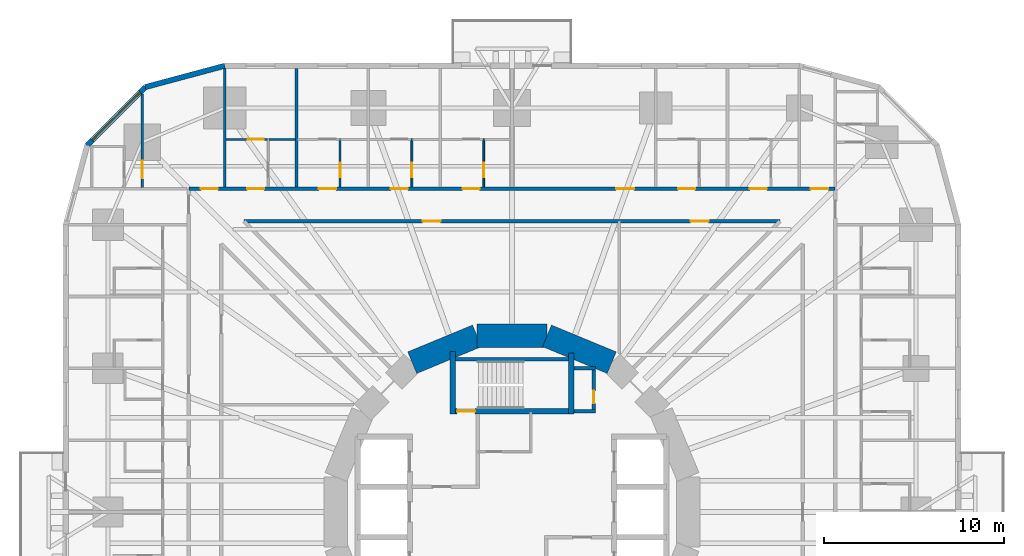
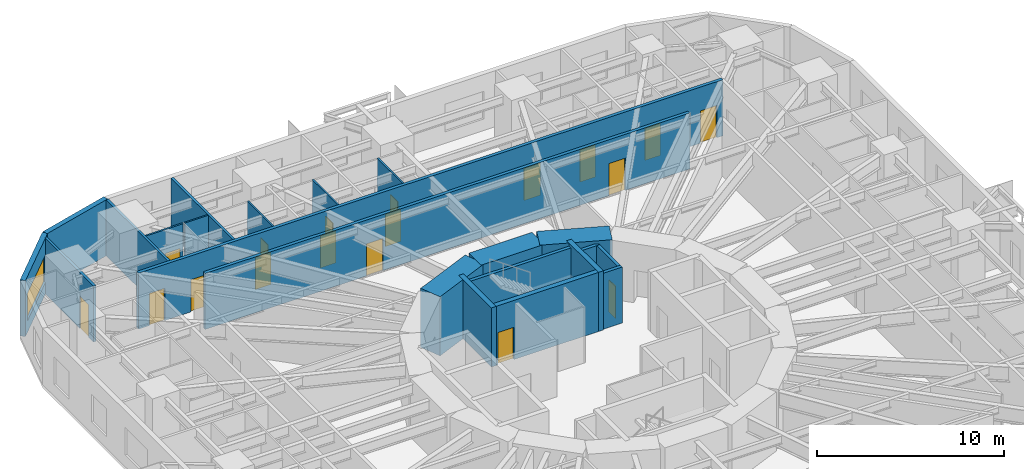
# One storey, part 10 of 14: 22 walls, 18 doors, 1 window, 19 openings.
"""IFC4 building model written with IfcOpenShell, lengths in metres."""

from ifc_helpers import new_model, si_unit, direction, frame, frame_2d, origin, place, context, subcontext, project, spatial, rectangle, extrude, material, layer, layer_set, type_object, element, fill, save


model = new_model("IFC4")

# Units and contexts
model_context = context("Model", 3, precision=1e-05, world=origin(), true_north=direction((0.0, 1.0)))
body_context = subcontext(model_context, "Body", "Model", "MODEL_VIEW")
ifc_project = project(units=[si_unit("LENGTHUNIT", "METRE"), si_unit("AREAUNIT", "SQUARE_METRE"), si_unit("VOLUMEUNIT", "CUBIC_METRE"), si_unit("PLANEANGLEUNIT", "RADIAN"), si_unit("MASSUNIT", "GRAM", prefix="KILO")], contexts=[model_context])

# Site, building, storey
site_placement = place(None, origin())
site = spatial("IfcSite", under=ifc_project, at=site_placement, CompositionType="ELEMENT")
building_placement = place(site_placement, origin())
building = spatial("IfcBuilding", under=site, at=building_placement, Name="Nakasero Lantern House", CompositionType="ELEMENT")
storey_placement = place(building_placement, frame((0.0, 0.0, 23.699951171875)))
storey = spatial("IfcBuildingStorey", under=building, at=storey_placement, Name="L05", CompositionType="ELEMENT", Elevation=23.699951171875)

# Wall, opening, door
ifc_material_1 = material(Name="Concrete C50/60", Category="concrete")
ifc_layer_1 = layer(ifc_material_1, 0.300048828125)
ifc_layer_set_1 = layer_set([ifc_layer_1], Name="Core inner wall 300")
wall_type_1 = type_object("IfcWallType", Name="Core inner wall 300", PredefinedType="SHEAR", material=ifc_layer_set_1)
wall_1_placement = place(storey_placement, frame((-3.449951171875, 5.60009765625, 0.0), z_axis=(0.0, 0.0, 1.0), x_axis=(1.0, 0.0, 0.0)))
wall_1 = element("IfcWall", 1, at=wall_1_placement, inside=storey, type_object=wall_type_1, Name="Core inner wall L05 SN", PredefinedType="SHEAR", context=body_context, shape_type="SweptSolid", body=[
    extrude(rectangle(XDim=6.89990234375, YDim=0.300048828125, at=frame_2d((3.449951171875, 0.0))), origin(), (0.0, 0.0, 1.0), 3.85009765625),
])
opening_1_placement = place(wall_1_placement, frame((0.39990234375, 0.0, 0.0)))
opening_1 = element("IfcOpeningElement", 2, at=opening_1_placement, cuts=wall_1, Name="Opening D05", PredefinedType="OPENING", context=body_context, shape_type="SweptSolid", body=[
    extrude(rectangle(XDim=1.0, YDim=2.10009765625, at=frame_2d((0.5, 1.050048828125))), frame((0.0, 0.169921875, 0.0), z_axis=(0.0, -1.0, 0.0), x_axis=(1.0, 0.0, 0.0)), (0.0, 0.0, 1.0), 0.340087890625),
])
ifc_material_2 = material(Name="Timber C24", Category="wood")
door_type_1 = type_object("IfcDoorType", Name="Core door FD60S 1000", OperationType="SINGLE_SWING_LEFT", PredefinedType="DOOR", material=ifc_material_2)
door_1_placement = place(opening_1_placement, origin())
door_1 = element("IfcDoor", 3, at=door_1_placement, inside=storey, type_object=door_type_1, Name="Door L05 D-ST1", OperationType="SINGLE_SWING_LEFT", OverallHeight=2.10009765625, OverallWidth=1.0, PredefinedType="DOOR", context=body_context, shape_type="SweptSolid", body=[
    extrude(rectangle(XDim=1.0, YDim=2.10009765625, at=frame_2d((0.5, 1.050048828125))), frame((0.0, 0.02490234375, 0.0), z_axis=(0.0, -1.0, 0.0), x_axis=(1.0, 0.0, 0.0)), (0.0, 0.0, 1.0), 0.050048828125),
])
fill(opening_1, door_1)

# Walls
wall_2_placement = place(storey_placement, frame((-3.300048828125, 5.449951171875, 0.0), z_axis=(0.0, 0.0, 1.0), x_axis=(0.0, 1.0, 0.0)))
element("IfcWall", 4, at=wall_2_placement, inside=storey, type_object=wall_type_1, Name="Core inner wall L05 SNW", PredefinedType="SHEAR", context=body_context, shape_type="SweptSolid", body=[
    extrude(rectangle(XDim=3.5, YDim=0.300048828125, at=frame_2d((1.75, 0.0))), origin(), (0.0, 0.0, 1.0), 3.85009765625),
])
wall_3_placement = place(storey_placement, frame((3.300048828125, 5.449951171875, 0.0), z_axis=(0.0, 0.0, 1.0), x_axis=(0.0, 1.0, 0.0)))
element("IfcWall", 5, at=wall_3_placement, inside=storey, type_object=wall_type_1, Name="Core inner wall L05 SNE", PredefinedType="SHEAR", context=body_context, shape_type="SweptSolid", body=[
    extrude(rectangle(XDim=3.400146484375, YDim=0.300048828125, at=frame_2d((1.7001953125, 0.0))), origin(), (0.0, 0.0, 1.0), 3.85009765625),
])
ifc_material_3 = material(Name="Concrete C50/60", Category="concrete")
ifc_layer_2 = layer(ifc_material_3, 1.300048828125)
ifc_layer_set_2 = layer_set([ifc_layer_2], Name="Core wall 1300")
wall_type_2 = type_object("IfcWallType", Name="Core wall 1300", PredefinedType="SHEAR", material=ifc_layer_set_2)
for number, where, z_axis, x_axis, name in (
    (6, (5.5556640625, 8.314697265625, 0.0), (0.0, 0.0, 1.0), (-0.923876507187, 0.382690736062, 0.0), "Core wall L05 facet 3"),
    (7, (1.950927734375, 9.807861328125, 0.0), (0.0, 0.0, 1.0), (-1.0, 0.0, 0.0), "Core wall L05 facet 4"),
    (8, (-1.950927734375, 9.807861328125, 0.0), (0.0, 0.0, 1.0), (-0.923876507187, -0.382690736062, 0.0), "Core wall L05 facet 5"),
):
    element("IfcWall", number, at=place(storey_placement, frame(where, z_axis=z_axis, x_axis=x_axis)), inside=storey, type_object=wall_type_2, Name=name, PredefinedType="SHEAR", context=body_context, shape_type="SweptSolid", body=[
        extrude(rectangle(XDim=3.90185546875, YDim=1.300048828125, at=frame_2d((1.950927734375, 0.0))), origin(), (0.0, 0.0, 1.0), 3.85009765625),
    ])

# Wall, openings, doors
ifc_material_4 = material(Name="Blockwork", Category="masonry")
ifc_layer_3 = layer(ifc_material_4, 0.199951171875)
ifc_layer_set_3 = layer_set([ifc_layer_3], Name="Corridor wall 200")
wall_type_3 = type_object("IfcWallType", Name="Corridor wall 200", PredefinedType="PARTITIONING", material=ifc_layer_set_3)
wall_4_placement = place(storey_placement, frame((18.0, 18.0, 0.0), z_axis=(0.0, 0.0, 1.0), x_axis=(-1.0, 0.0, 0.0)))
wall_4 = element("IfcWall", 9, at=wall_4_placement, inside=storey, type_object=wall_type_3, Name="Corridor wall L05 CW1", PredefinedType="PARTITIONING", context=body_context, shape_type="SweptSolid", body=[
    extrude(rectangle(XDim=36.0, YDim=0.199951171875, at=frame_2d((18.0, 0.0))), origin(), (0.0, 0.0, 1.0), 3.650146484375),
])
opening_2_placement = place(wall_4_placement, frame((0.375, 0.0, 0.0)))
opening_2 = element("IfcOpeningElement", 10, at=opening_2_placement, cuts=wall_4, Name="Opening D07", PredefinedType="OPENING", context=body_context, shape_type="SweptSolid", body=[
    extrude(rectangle(XDim=1.0, YDim=2.10009765625, at=frame_2d((0.5, 1.050048828125))), frame((0.0, 0.119873046875, 0.0), z_axis=(0.0, -1.0, 0.0), x_axis=(1.0, 0.0, 0.0)), (0.0, 0.0, 1.0), 0.239990234375),
])
opening_3_placement = place(wall_4_placement, frame((3.800048828125, 0.0, 0.0)))
opening_3 = element("IfcOpeningElement", 11, at=opening_3_placement, cuts=wall_4, Name="Opening D01", PredefinedType="OPENING", context=body_context, shape_type="SweptSolid", body=[
    extrude(rectangle(XDim=0.949951171875, YDim=2.10009765625, at=frame_2d((0.47509765625, 1.050048828125))), frame((0.0, 0.119873046875, 0.0), z_axis=(0.0, -1.0, 0.0), x_axis=(1.0, 0.0, 0.0)), (0.0, 0.0, 1.0), 0.239990234375),
])
opening_4_placement = place(wall_4_placement, frame((7.800048828125, 0.0, 0.0)))
opening_4 = element("IfcOpeningElement", 12, at=opening_4_placement, cuts=wall_4, Name="Opening D01", PredefinedType="OPENING", context=body_context, shape_type="SweptSolid", body=[
    extrude(rectangle(XDim=0.949951171875, YDim=2.10009765625, at=frame_2d((0.47509765625, 1.050048828125))), frame((0.0, 0.119873046875, 0.0), z_axis=(0.0, -1.0, 0.0), x_axis=(1.0, 0.0, 0.0)), (0.0, 0.0, 1.0), 0.239990234375),
])
opening_5_placement = place(wall_4_placement, frame((19.800048828125, 0.0, 0.0)))
opening_5 = element("IfcOpeningElement", 13, at=opening_5_placement, cuts=wall_4, Name="Opening D01", PredefinedType="OPENING", context=body_context, shape_type="SweptSolid", body=[
    extrude(rectangle(XDim=0.949951171875, YDim=2.10009765625, at=frame_2d((0.47509765625, 1.050048828125))), frame((0.0, 0.119873046875, 0.0), z_axis=(0.0, -1.0, 0.0), x_axis=(1.0, 0.0, 0.0)), (0.0, 0.0, 1.0), 0.239990234375),
])
opening_6_placement = place(wall_4_placement, frame((23.800048828125, 0.0, 0.0)))
opening_6 = element("IfcOpeningElement", 14, at=opening_6_placement, cuts=wall_4, Name="Opening D01", PredefinedType="OPENING", context=body_context, shape_type="SweptSolid", body=[
    extrude(rectangle(XDim=0.949951171875, YDim=2.10009765625, at=frame_2d((0.47509765625, 1.050048828125))), frame((0.0, 0.119873046875, 0.0), z_axis=(0.0, -1.0, 0.0), x_axis=(1.0, 0.0, 0.0)), (0.0, 0.0, 1.0), 0.239990234375),
])
opening_7_placement = place(wall_4_placement, frame((27.800048828125, 0.0, 0.0)))
opening_7 = element("IfcOpeningElement", 15, at=opening_7_placement, cuts=wall_4, Name="Opening D01", PredefinedType="OPENING", context=body_context, shape_type="SweptSolid", body=[
    extrude(rectangle(XDim=0.949951171875, YDim=2.10009765625, at=frame_2d((0.47509765625, 1.050048828125))), frame((0.0, 0.119873046875, 0.0), z_axis=(0.0, -1.0, 0.0), x_axis=(1.0, 0.0, 0.0)), (0.0, 0.0, 1.0), 0.239990234375),
])
opening_8_placement = place(wall_4_placement, frame((31.800048828125, 0.0, 0.0)))
opening_8 = element("IfcOpeningElement", 16, at=opening_8_placement, cuts=wall_4, Name="Opening D01", PredefinedType="OPENING", context=body_context, shape_type="SweptSolid", body=[
    extrude(rectangle(XDim=0.949951171875, YDim=2.10009765625, at=frame_2d((0.47509765625, 1.050048828125))), frame((0.0, 0.119873046875, 0.0), z_axis=(0.0, -1.0, 0.0), x_axis=(1.0, 0.0, 0.0)), (0.0, 0.0, 1.0), 0.239990234375),
])
opening_9_placement = place(wall_4_placement, frame((34.375, 0.0, 0.0)))
opening_9 = element("IfcOpeningElement", 17, at=opening_9_placement, cuts=wall_4, Name="Opening D01", PredefinedType="OPENING", context=body_context, shape_type="SweptSolid", body=[
    extrude(rectangle(XDim=0.949951171875, YDim=2.10009765625, at=frame_2d((0.47509765625, 1.050048828125))), frame((0.0, 0.119873046875, 0.0), z_axis=(0.0, -1.0, 0.0), x_axis=(1.0, 0.0, 0.0)), (0.0, 0.0, 1.0), 0.239990234375),
])
opening_10_placement = place(wall_4_placement, frame((11.199951171875, 0.0, 0.0)))
opening_10 = element("IfcOpeningElement", 18, at=opening_10_placement, cuts=wall_4, Name="Opening D03", PredefinedType="OPENING", context=body_context, shape_type="SweptSolid", body=[
    extrude(rectangle(XDim=1.0, YDim=2.10009765625, at=frame_2d((0.5, 1.050048828125))), frame((0.0, 0.119873046875, 0.0), z_axis=(0.0, -1.0, 0.0), x_axis=(1.0, 0.0, 0.0)), (0.0, 0.0, 1.0), 0.239990234375),
])
ifc_material_5 = material(Name="Timber C24", Category="wood")
door_type_2 = type_object("IfcDoorType", Name="Bedroom door FD30S 950", OperationType="SINGLE_SWING_LEFT", PredefinedType="DOOR", material=ifc_material_5)
door_2_placement = place(opening_3_placement, origin())
door_2 = element("IfcDoor", 19, at=door_2_placement, inside=storey, type_object=door_type_2, Name="Door L05 D1-01", OperationType="SINGLE_SWING_LEFT", OverallHeight=2.10009765625, OverallWidth=0.949951171875, PredefinedType="DOOR", context=body_context, shape_type="SweptSolid", body=[
    extrude(rectangle(XDim=0.949951171875, YDim=2.10009765625, at=frame_2d((0.47509765625, 1.050048828125))), frame((0.0, 0.02490234375, 0.0), z_axis=(0.0, -1.0, 0.0), x_axis=(1.0, 0.0, 0.0)), (0.0, 0.0, 1.0), 0.050048828125),
])
fill(opening_3, door_2)
door_3_placement = place(opening_4_placement, origin())
door_3 = element("IfcDoor", 20, at=door_3_placement, inside=storey, type_object=door_type_2, Name="Door L05 D1-02", OperationType="SINGLE_SWING_LEFT", OverallHeight=2.10009765625, OverallWidth=0.949951171875, PredefinedType="DOOR", context=body_context, shape_type="SweptSolid", body=[
    extrude(rectangle(XDim=0.949951171875, YDim=2.10009765625, at=frame_2d((0.47509765625, 1.050048828125))), frame((0.0, 0.02490234375, 0.0), z_axis=(0.0, -1.0, 0.0), x_axis=(1.0, 0.0, 0.0)), (0.0, 0.0, 1.0), 0.050048828125),
])
fill(opening_4, door_3)
door_4_placement = place(opening_5_placement, origin())
door_4 = element("IfcDoor", 21, at=door_4_placement, inside=storey, type_object=door_type_2, Name="Door L05 D1-05", OperationType="SINGLE_SWING_RIGHT", OverallHeight=2.10009765625, OverallWidth=0.949951171875, PredefinedType="DOOR", context=body_context, shape_type="SweptSolid", body=[
    extrude(rectangle(XDim=0.949951171875, YDim=2.10009765625, at=frame_2d((0.47509765625, 1.050048828125))), frame((0.0, 0.02490234375, 0.0), z_axis=(0.0, -1.0, 0.0), x_axis=(1.0, 0.0, 0.0)), (0.0, 0.0, 1.0), 0.050048828125),
])
fill(opening_5, door_4)
door_5_placement = place(opening_6_placement, origin())
door_5 = element("IfcDoor", 22, at=door_5_placement, inside=storey, type_object=door_type_2, Name="Door L05 D1-06", OperationType="SINGLE_SWING_RIGHT", OverallHeight=2.10009765625, OverallWidth=0.949951171875, PredefinedType="DOOR", context=body_context, shape_type="SweptSolid", body=[
    extrude(rectangle(XDim=0.949951171875, YDim=2.10009765625, at=frame_2d((0.47509765625, 1.050048828125))), frame((0.0, 0.02490234375, 0.0), z_axis=(0.0, -1.0, 0.0), x_axis=(1.0, 0.0, 0.0)), (0.0, 0.0, 1.0), 0.050048828125),
])
fill(opening_6, door_5)
door_6_placement = place(opening_7_placement, origin())
door_6 = element("IfcDoor", 23, at=door_6_placement, inside=storey, type_object=door_type_2, Name="Door L05 D1-07", OperationType="SINGLE_SWING_RIGHT", OverallHeight=2.10009765625, OverallWidth=0.949951171875, PredefinedType="DOOR", context=body_context, shape_type="SweptSolid", body=[
    extrude(rectangle(XDim=0.949951171875, YDim=2.10009765625, at=frame_2d((0.47509765625, 1.050048828125))), frame((0.0, 0.02490234375, 0.0), z_axis=(0.0, -1.0, 0.0), x_axis=(1.0, 0.0, 0.0)), (0.0, 0.0, 1.0), 0.050048828125),
])
fill(opening_7, door_6)
door_7_placement = place(opening_8_placement, origin())
door_7 = element("IfcDoor", 24, at=door_7_placement, inside=storey, type_object=door_type_2, Name="Door L05 D1-08", OperationType="SINGLE_SWING_RIGHT", OverallHeight=2.10009765625, OverallWidth=0.949951171875, PredefinedType="DOOR", context=body_context, shape_type="SweptSolid", body=[
    extrude(rectangle(XDim=0.949951171875, YDim=2.10009765625, at=frame_2d((0.47509765625, 1.050048828125))), frame((0.0, 0.02490234375, 0.0), z_axis=(0.0, -1.0, 0.0), x_axis=(1.0, 0.0, 0.0)), (0.0, 0.0, 1.0), 0.050048828125),
])
fill(opening_8, door_7)
door_8_placement = place(opening_9_placement, origin())
door_8 = element("IfcDoor", 25, at=door_8_placement, inside=storey, type_object=door_type_2, Name="Door L05 D1-09", OperationType="SINGLE_SWING_RIGHT", OverallHeight=2.10009765625, OverallWidth=0.949951171875, PredefinedType="DOOR", context=body_context, shape_type="SweptSolid", body=[
    extrude(rectangle(XDim=0.949951171875, YDim=2.10009765625, at=frame_2d((0.47509765625, 1.050048828125))), frame((0.0, 0.02490234375, 0.0), z_axis=(0.0, -1.0, 0.0), x_axis=(1.0, 0.0, 0.0)), (0.0, 0.0, 1.0), 0.050048828125),
])
fill(opening_9, door_8)
ifc_material_6 = material(Name="Timber C24", Category="wood")
door_type_3 = type_object("IfcDoorType", Name="Lounge door FD30S 1000", OperationType="SINGLE_SWING_LEFT", PredefinedType="DOOR", material=ifc_material_6)
door_9_placement = place(opening_10_placement, origin())
door_9 = element("IfcDoor", 26, at=door_9_placement, inside=storey, type_object=door_type_3, Name="Door L05 DK1", OperationType="SINGLE_SWING_LEFT", OverallHeight=2.10009765625, OverallWidth=1.0, PredefinedType="DOOR", context=body_context, shape_type="SweptSolid", body=[
    extrude(rectangle(XDim=1.0, YDim=2.10009765625, at=frame_2d((0.5, 1.050048828125))), frame((0.0, 0.02490234375, 0.0), z_axis=(0.0, -1.0, 0.0), x_axis=(1.0, 0.0, 0.0)), (0.0, 0.0, 1.0), 0.050048828125),
])
fill(opening_10, door_9)
ifc_material_7 = material(Name="Timber C24", Category="wood")
door_type_4 = type_object("IfcDoorType", Name="Room door FD30S 1000", OperationType="SINGLE_SWING_LEFT", PredefinedType="DOOR", material=ifc_material_7)
door_10_placement = place(opening_2_placement, origin())
door_10 = element("IfcDoor", 27, at=door_10_placement, inside=storey, type_object=door_type_4, Name="Door L05 D1-00", OperationType="SINGLE_SWING_LEFT", OverallHeight=2.10009765625, OverallWidth=1.0, PredefinedType="DOOR", context=body_context, shape_type="SweptSolid", body=[
    extrude(rectangle(XDim=1.0, YDim=2.10009765625, at=frame_2d((0.5, 1.050048828125))), frame((0.0, 0.02490234375, 0.0), z_axis=(0.0, -1.0, 0.0), x_axis=(1.0, 0.0, 0.0)), (0.0, 0.0, 1.0), 0.050048828125),
])
fill(opening_2, door_10)

wall_5_placement = place(storey_placement, frame((14.92724609375, 16.199951171875, 0.0), z_axis=(0.0, 0.0, 1.0), x_axis=(-1.0, 0.0, 0.0)))
wall_5 = element("IfcWall", 28, at=wall_5_placement, inside=storey, type_object=wall_type_3, Name="Corridor wall L05 IW1-0", PredefinedType="PARTITIONING", context=body_context, shape_type="SweptSolid", body=[
    extrude(rectangle(XDim=29.8544921875, YDim=0.199951171875, at=frame_2d((14.92724609375, 0.0))), origin(), (0.0, 0.0, 1.0), 3.650146484375),
])
opening_11_placement = place(wall_5_placement, frame((3.978271484375, 0.0, 0.0)))
opening_11 = element("IfcOpeningElement", 29, at=opening_11_placement, cuts=wall_5, Name="Opening D07", PredefinedType="OPENING", context=body_context, shape_type="SweptSolid", body=[
    extrude(rectangle(XDim=1.0, YDim=2.10009765625, at=frame_2d((0.5, 1.050048828125))), frame((0.0, 0.119873046875, 0.0), z_axis=(0.0, -1.0, 0.0), x_axis=(1.0, 0.0, 0.0)), (0.0, 0.0, 1.0), 0.239990234375),
])
opening_12_placement = place(wall_5_placement, frame((18.9052734375, 0.0, 0.0)))
opening_12 = element("IfcOpeningElement", 30, at=opening_12_placement, cuts=wall_5, Name="Opening D07", PredefinedType="OPENING", context=body_context, shape_type="SweptSolid", body=[
    extrude(rectangle(XDim=1.0, YDim=2.10009765625, at=frame_2d((0.5, 1.050048828125))), frame((0.0, 0.119873046875, 0.0), z_axis=(0.0, -1.0, 0.0), x_axis=(1.0, 0.0, 0.0)), (0.0, 0.0, 1.0), 0.239990234375),
])
door_11_placement = place(opening_11_placement, origin())
door_11 = element("IfcDoor", 31, at=door_11_placement, inside=storey, type_object=door_type_4, Name="Door L05 DI2", OperationType="SINGLE_SWING_LEFT", OverallHeight=2.10009765625, OverallWidth=1.0, PredefinedType="DOOR", context=body_context, shape_type="SweptSolid", body=[
    extrude(rectangle(XDim=1.0, YDim=2.10009765625, at=frame_2d((0.5, 1.050048828125))), frame((0.0, 0.02490234375, 0.0), z_axis=(0.0, -1.0, 0.0), x_axis=(1.0, 0.0, 0.0)), (0.0, 0.0, 1.0), 0.050048828125),
])
fill(opening_11, door_11)
door_12_placement = place(opening_12_placement, origin())
door_12 = element("IfcDoor", 32, at=door_12_placement, inside=storey, type_object=door_type_4, Name="Door L05 DI2S", OperationType="SINGLE_SWING_RIGHT", OverallHeight=2.10009765625, OverallWidth=1.0, PredefinedType="DOOR", context=body_context, shape_type="SweptSolid", body=[
    extrude(rectangle(XDim=1.0, YDim=2.10009765625, at=frame_2d((0.5, 1.050048828125))), frame((0.0, 0.02490234375, 0.0), z_axis=(0.0, -1.0, 0.0), x_axis=(1.0, 0.0, 0.0)), (0.0, 0.0, 1.0), 0.050048828125),
])
fill(opening_12, door_12)

# Wall, opening, door
ifc_material_8 = material(Name="Blockwork", Category="masonry")
ifc_layer_4 = layer(ifc_material_8, 0.10009765625)
ifc_layer_set_4 = layer_set([ifc_layer_4], Name="En-suite wall 100")
wall_type_4 = type_object("IfcWallType", Name="En-suite wall 100", PredefinedType="PARTITIONING", material=ifc_layer_set_4)
wall_6_placement = place(storey_placement, frame((-1.574951171875, 18.10009765625, 0.0), z_axis=(0.0, 0.0, 1.0), x_axis=(0.0, 1.0, 0.0)))
wall_6 = element("IfcWall", 33, at=wall_6_placement, inside=storey, type_object=wall_type_4, Name="En-suite wall L05 ES1-05", PredefinedType="PARTITIONING", context=body_context, shape_type="SweptSolid", body=[
    extrude(rectangle(XDim=2.699951171875, YDim=0.10009765625, at=frame_2d((1.35009765625, 0.0))), origin(), (0.0, 0.0, 1.0), 3.650146484375),
])
opening_13_placement = place(wall_6_placement, frame((0.550048828125, 0.0, 0.0)))
opening_13 = element("IfcOpeningElement", 34, at=opening_13_placement, cuts=wall_6, Name="Opening D02", PredefinedType="OPENING", context=body_context, shape_type="SweptSolid", body=[
    extrude(rectangle(XDim=0.800048828125, YDim=2.10009765625, at=frame_2d((0.39990234375, 1.050048828125))), frame((0.0, 0.070068359375, 0.0), z_axis=(0.0, -1.0, 0.0), x_axis=(1.0, 0.0, 0.0)), (0.0, 0.0, 1.0), 0.14013671875),
])
ifc_material_9 = material(Name="Timber C24", Category="wood")
door_type_5 = type_object("IfcDoorType", Name="En-suite door 800", OperationType="SINGLE_SWING_RIGHT", PredefinedType="DOOR", material=ifc_material_9)
door_13_placement = place(opening_13_placement, origin())
door_13 = element("IfcDoor", 35, at=door_13_placement, inside=storey, type_object=door_type_5, Name="Door L05 DE1-05", OperationType="SINGLE_SWING_LEFT", OverallHeight=2.10009765625, OverallWidth=0.800048828125, PredefinedType="DOOR", context=body_context, shape_type="SweptSolid", body=[
    extrude(rectangle(XDim=0.800048828125, YDim=2.10009765625, at=frame_2d((0.39990234375, 1.050048828125))), frame((0.0, 0.02490234375, 0.0), z_axis=(0.0, -1.0, 0.0), x_axis=(1.0, 0.0, 0.0)), (0.0, 0.0, 1.0), 0.050048828125),
])
fill(opening_13, door_13)

wall_7_placement = place(storey_placement, frame((-5.574951171875, 18.10009765625, 0.0), z_axis=(0.0, 0.0, 1.0), x_axis=(0.0, 1.0, 0.0)))
wall_7 = element("IfcWall", 36, at=wall_7_placement, inside=storey, type_object=wall_type_4, Name="En-suite wall L05 ES1-06", PredefinedType="PARTITIONING", context=body_context, shape_type="SweptSolid", body=[
    extrude(rectangle(XDim=2.699951171875, YDim=0.10009765625, at=frame_2d((1.35009765625, 0.0))), origin(), (0.0, 0.0, 1.0), 3.650146484375),
])
opening_14_placement = place(wall_7_placement, frame((0.550048828125, 0.0, 0.0)))
opening_14 = element("IfcOpeningElement", 37, at=opening_14_placement, cuts=wall_7, Name="Opening D02", PredefinedType="OPENING", context=body_context, shape_type="SweptSolid", body=[
    extrude(rectangle(XDim=0.800048828125, YDim=2.10009765625, at=frame_2d((0.39990234375, 1.050048828125))), frame((0.0, 0.070068359375, 0.0), z_axis=(0.0, -1.0, 0.0), x_axis=(1.0, 0.0, 0.0)), (0.0, 0.0, 1.0), 0.14013671875),
])
door_14_placement = place(opening_14_placement, origin())
door_14 = element("IfcDoor", 38, at=door_14_placement, inside=storey, type_object=door_type_5, Name="Door L05 DE1-06", OperationType="SINGLE_SWING_LEFT", OverallHeight=2.10009765625, OverallWidth=0.800048828125, PredefinedType="DOOR", context=body_context, shape_type="SweptSolid", body=[
    extrude(rectangle(XDim=0.800048828125, YDim=2.10009765625, at=frame_2d((0.39990234375, 1.050048828125))), frame((0.0, 0.02490234375, 0.0), z_axis=(0.0, -1.0, 0.0), x_axis=(1.0, 0.0, 0.0)), (0.0, 0.0, 1.0), 0.050048828125),
])
fill(opening_14, door_14)

wall_8_placement = place(storey_placement, frame((-9.574951171875, 18.10009765625, 0.0), z_axis=(0.0, 0.0, 1.0), x_axis=(0.0, 1.0, 0.0)))
wall_8 = element("IfcWall", 39, at=wall_8_placement, inside=storey, type_object=wall_type_4, Name="En-suite wall L05 ES1-07", PredefinedType="PARTITIONING", context=body_context, shape_type="SweptSolid", body=[
    extrude(rectangle(XDim=2.699951171875, YDim=0.10009765625, at=frame_2d((1.35009765625, 0.0))), origin(), (0.0, 0.0, 1.0), 3.650146484375),
])
opening_15_placement = place(wall_8_placement, frame((0.550048828125, 0.0, 0.0)))
opening_15 = element("IfcOpeningElement", 40, at=opening_15_placement, cuts=wall_8, Name="Opening D02", PredefinedType="OPENING", context=body_context, shape_type="SweptSolid", body=[
    extrude(rectangle(XDim=0.800048828125, YDim=2.10009765625, at=frame_2d((0.39990234375, 1.050048828125))), frame((0.0, 0.070068359375, 0.0), z_axis=(0.0, -1.0, 0.0), x_axis=(1.0, 0.0, 0.0)), (0.0, 0.0, 1.0), 0.14013671875),
])
door_15_placement = place(opening_15_placement, origin())
door_15 = element("IfcDoor", 41, at=door_15_placement, inside=storey, type_object=door_type_5, Name="Door L05 DE1-07", OperationType="SINGLE_SWING_LEFT", OverallHeight=2.10009765625, OverallWidth=0.800048828125, PredefinedType="DOOR", context=body_context, shape_type="SweptSolid", body=[
    extrude(rectangle(XDim=0.800048828125, YDim=2.10009765625, at=frame_2d((0.39990234375, 1.050048828125))), frame((0.0, 0.02490234375, 0.0), z_axis=(0.0, -1.0, 0.0), x_axis=(1.0, 0.0, 0.0)), (0.0, 0.0, 1.0), 0.050048828125),
])
fill(opening_15, door_15)

# Wall
wall_9_placement = place(storey_placement, frame((-12.074951171875, 20.75, 0.0), z_axis=(0.0, 0.0, 1.0), x_axis=(-1.0, 0.0, 0.0)))
element("IfcWall", 42, at=wall_9_placement, inside=storey, type_object=wall_type_4, Name="En-suite wall L05 EE1-08", PredefinedType="PARTITIONING", context=body_context, shape_type="SweptSolid", body=[
    extrude(rectangle(XDim=1.449951171875, YDim=0.10009765625, at=frame_2d((0.72509765625, 0.0))), origin(), (0.0, 0.0, 1.0), 3.650146484375),
])

# Wall, opening, door
wall_10_placement = place(storey_placement, frame((-13.625, 20.75, 0.0), z_axis=(0.0, 0.0, 1.0), x_axis=(-1.0, 0.0, 0.0)))
wall_10 = element("IfcWall", 43, at=wall_10_placement, inside=storey, type_object=wall_type_4, Name="En-suite wall L05 EL1-08", PredefinedType="PARTITIONING", context=body_context, shape_type="SweptSolid", body=[
    extrude(rectangle(XDim=2.300048828125, YDim=0.10009765625, at=frame_2d((1.14990234375, 0.0))), origin(), (0.0, 0.0, 1.0), 3.650146484375),
])
opening_16_placement = place(wall_10_placement, frame((0.199951171875, 0.0, 0.0)))
opening_16 = element("IfcOpeningElement", 44, at=opening_16_placement, cuts=wall_10, Name="Opening D17", PredefinedType="OPENING", context=body_context, shape_type="SweptSolid", body=[
    extrude(rectangle(XDim=0.89990234375, YDim=2.10009765625, at=frame_2d((0.449951171875, 1.050048828125))), frame((0.0, 0.070068359375, 0.0), z_axis=(0.0, -1.0, 0.0), x_axis=(1.0, 0.0, 0.0)), (0.0, 0.0, 1.0), 0.14013671875),
])
ifc_material_10 = material(Name="Timber C24", Category="wood")
door_type_6 = type_object("IfcDoorType", Name="Bedroom door FD30S 900", OperationType="SINGLE_SWING_LEFT", PredefinedType="DOOR", material=ifc_material_10)
door_16_placement = place(opening_16_placement, origin())
door_16 = element("IfcDoor", 45, at=door_16_placement, inside=storey, type_object=door_type_6, Name="Door L05 DL1-08", OperationType="SINGLE_SWING_LEFT", OverallHeight=2.10009765625, OverallWidth=0.89990234375, PredefinedType="DOOR", context=body_context, shape_type="SweptSolid", body=[
    extrude(rectangle(XDim=0.89990234375, YDim=2.10009765625, at=frame_2d((0.449951171875, 1.050048828125))), frame((0.0, 0.02490234375, 0.0), z_axis=(0.0, -1.0, 0.0), x_axis=(1.0, 0.0, 0.0)), (0.0, 0.0, 1.0), 0.050048828125),
])
fill(opening_16, door_16)

# Wall
ifc_material_11 = material(Name="Aluminium rainscreen on blockwork", Category="masonry")
ifc_layer_5 = layer(ifc_material_11, 0.300048828125)
ifc_layer_set_5 = layer_set([ifc_layer_5], Name="Facade wall 300")
wall_type_5 = type_object("IfcWallType", Name="Facade wall 300", PredefinedType="SOLIDWALL", material=ifc_layer_set_5)
wall_11_placement = place(storey_placement, frame((-16.0, 24.85009765625, 0.0), z_axis=(0.0, 0.0, 1.0), x_axis=(-0.965920218567, -0.258839972501, 0.0)))
element("IfcWall", 46, at=wall_11_placement, inside=storey, type_object=wall_type_5, Name="Facade wall L05 FW1C1", PredefinedType="SOLIDWALL", context=body_context, shape_type="SweptSolid", body=[
    extrude(rectangle(XDim=4.5810546875, YDim=0.300048828125, at=frame_2d((2.29052734375, 0.0))), origin(), (0.0, 0.0, 1.0), 3.650146484375),
])

# Wall, opening, window
wall_12_placement = place(storey_placement, frame((-20.425048828125, 23.664306640625, 0.0), z_axis=(0.0, 0.0, 1.0), x_axis=(-0.707106781187, -0.707106781187, 0.0)))
wall_12 = element("IfcWall", 47, at=wall_12_placement, inside=storey, type_object=wall_type_5, Name="Facade wall L05 FW1C2", PredefinedType="SOLIDWALL", context=body_context, shape_type="SweptSolid", body=[
    extrude(rectangle(XDim=4.5810546875, YDim=0.300048828125, at=frame_2d((2.29052734375, 0.0))), origin(), (0.0, 0.0, 1.0), 3.650146484375),
])
opening_17_placement = place(wall_12_placement, frame((0.39990234375, 0.0, 0.75)))
opening_17 = element("IfcOpeningElement", 48, at=opening_17_placement, cuts=wall_12, Name="Opening W237", PredefinedType="OPENING", context=body_context, shape_type="SweptSolid", body=[
    extrude(rectangle(XDim=3.781005859375, YDim=1.800048828125, at=frame_2d((1.890625, 0.89990234375))), frame((0.0, 0.169921875, 0.0), z_axis=(0.0, -1.0, 0.0), x_axis=(1.0, 0.0, 0.0)), (0.0, 0.0, 1.0), 0.340087890625),
])
ifc_material_12 = material(Name="Aluminium 6063-T6 and glass", Category="aluminium")
window_type = type_object("IfcWindowType", Name="Corner window 3781x1800", PartitioningType="SINGLE_PANEL", PredefinedType="WINDOW", material=ifc_material_12)
window_placement = place(opening_17_placement, origin())
window = element("IfcWindow", 49, at=window_placement, inside=storey, type_object=window_type, Name="Window L05 WC1", OverallHeight=1.800048828125, OverallWidth=3.781005859375, PartitioningType="SINGLE_PANEL", PredefinedType="WINDOW", context=body_context, shape_type="SweptSolid", body=[
    extrude(rectangle(XDim=3.781005859375, YDim=1.800048828125, at=frame_2d((1.890625, 0.89990234375))), frame((0.0, 0.030029296875, 0.0), z_axis=(0.0, -1.0, 0.0), x_axis=(1.0, 0.0, 0.0)), (0.0, 0.0, 1.0), 0.06005859375),
])
fill(opening_17, window)

# Wall, opening, door
ifc_material_13 = material(Name="Blockwork", Category="masonry")
ifc_layer_6 = layer(ifc_material_13, 0.199951171875)
ifc_layer_set_6 = layer_set([ifc_layer_6], Name="Fire lobby wall 200")
wall_type_6 = type_object("IfcWallType", Name="Fire lobby wall 200", PredefinedType="PARTITIONING", material=ifc_layer_set_6)
wall_13_placement = place(storey_placement, frame((4.550048828125, 5.60009765625, 0.0), z_axis=(0.0, 0.0, 1.0), x_axis=(0.0, 1.0, 0.0)))
wall_13 = element("IfcWall", 50, at=wall_13_placement, inside=storey, type_object=wall_type_6, Name="Fire lobby wall L05 W-RS1E", PredefinedType="PARTITIONING", context=body_context, shape_type="SweptSolid", body=[
    extrude(rectangle(XDim=2.39990234375, YDim=0.199951171875, at=frame_2d((1.199951171875, 0.0))), origin(), (0.0, 0.0, 1.0), 3.650146484375),
])
opening_18_placement = place(wall_13_placement, frame((0.449951171875, 0.0, 0.0)))
opening_18 = element("IfcOpeningElement", 51, at=opening_18_placement, cuts=wall_13, Name="Opening D06", PredefinedType="OPENING", context=body_context, shape_type="SweptSolid", body=[
    extrude(rectangle(XDim=0.699951171875, YDim=2.10009765625, at=frame_2d((0.35009765625, 1.050048828125))), frame((0.0, 0.119873046875, 0.0), z_axis=(0.0, -1.0, 0.0), x_axis=(1.0, 0.0, 0.0)), (0.0, 0.0, 1.0), 0.239990234375),
])
ifc_material_14 = material(Name="Steel S355", Category="steel")
door_type_7 = type_object("IfcDoorType", Name="Riser door FD60 700", OperationType="SINGLE_SWING_LEFT", PredefinedType="DOOR", material=ifc_material_14)
door_17_placement = place(opening_18_placement, origin())
door_17 = element("IfcDoor", 52, at=door_17_placement, inside=storey, type_object=door_type_7, Name="Door L05 D-RS1", OperationType="SINGLE_SWING_LEFT", OverallHeight=2.10009765625, OverallWidth=0.699951171875, PredefinedType="DOOR", context=body_context, shape_type="SweptSolid", body=[
    extrude(rectangle(XDim=0.699951171875, YDim=2.10009765625, at=frame_2d((0.35009765625, 1.050048828125))), frame((0.0, 0.02490234375, 0.0), z_axis=(0.0, -1.0, 0.0), x_axis=(1.0, 0.0, 0.0)), (0.0, 0.0, 1.0), 0.050048828125),
])
fill(opening_18, door_17)

# Walls
for number, where, z_axis, x_axis, name in (
    (53, (3.449951171875, 8.0, 0.0), (0.0, 0.0, 1.0), (1.0, 0.0, 0.0), "Fire lobby wall L05 W-RS1N"),
    (54, (3.449951171875, 5.60009765625, 0.0), (0.0, 0.0, 1.0), (1.0, 0.0, 0.0), "Fire lobby wall L05 W-RS1S"),
):
    element("IfcWall", number, at=place(storey_placement, frame(where, z_axis=z_axis, x_axis=x_axis)), inside=storey, type_object=wall_type_6, Name=name, PredefinedType="PARTITIONING", context=body_context, shape_type="SweptSolid", body=[
        extrude(rectangle(XDim=1.199951171875, YDim=0.199951171875, at=frame_2d((0.60009765625, 0.0))), origin(), (0.0, 0.0, 1.0), 3.650146484375),
    ])
wall_14_placement = place(storey_placement, frame((-3.300048828125, 8.5, 0.0), z_axis=(0.0, 0.0, 1.0), x_axis=(1.0, 0.0, 0.0)))
element("IfcWall", 55, at=wall_14_placement, inside=storey, type_object=wall_type_6, Name="Fire lobby wall L05 W-STN", PredefinedType="PARTITIONING", context=body_context, shape_type="SweptSolid", body=[
    extrude(rectangle(XDim=6.60009765625, YDim=0.199951171875, at=frame_2d((3.300048828125, 0.0))), origin(), (0.0, 0.0, 1.0), 3.650146484375),
])
ifc_material_15 = material(Name="Blockwork", Category="masonry")
ifc_layer_7 = layer(ifc_material_15, 0.14990234375)
ifc_layer_set_7 = layer_set([ifc_layer_7], Name="Party wall 150")
wall_type_7 = type_object("IfcWallType", Name="Party wall 150", PredefinedType="PARTITIONING", material=ifc_layer_set_7)
wall_15_placement = place(storey_placement, frame((-12.0, 18.10009765625, 0.0), z_axis=(0.0, 0.0, 1.0), x_axis=(0.0, 1.0, 0.0)))
element("IfcWall", 56, at=wall_15_placement, inside=storey, type_object=wall_type_7, Name="Party wall L05 PW1-08", PredefinedType="PARTITIONING", context=body_context, shape_type="SweptSolid", body=[
    extrude(rectangle(XDim=6.599853515625, YDim=0.14990234375, at=frame_2d((3.2998046875, 0.0))), origin(), (0.0, 0.0, 1.0), 3.650146484375),
])
wall_16_placement = place(storey_placement, frame((-16.0, 18.10009765625, 0.0), z_axis=(0.0, 0.0, 1.0), x_axis=(0.0, 1.0, 0.0)))
element("IfcWall", 57, at=wall_16_placement, inside=storey, type_object=wall_type_7, Name="Party wall L05 PW1-09", PredefinedType="PARTITIONING", context=body_context, shape_type="SweptSolid", body=[
    extrude(rectangle(XDim=6.58935546875, YDim=0.14990234375, at=frame_2d((3.294677734375, 0.0))), origin(), (0.0, 0.0, 1.0), 3.650146484375),
])

# Wall, opening, door
wall_17_placement = place(storey_placement, frame((-20.59619140625, 18.06494140625, 0.0), z_axis=(0.0, 0.0, 1.0), x_axis=(0.0, 1.0, 0.0)))
wall_17 = element("IfcWall", 58, at=wall_17_placement, inside=storey, type_object=wall_type_7, Name="Party wall L05 PC1", PredefinedType="PARTITIONING", context=body_context, shape_type="SweptSolid", body=[
    extrude(rectangle(XDim=5.208740234375, YDim=0.14990234375, at=frame_2d((2.6044921875, 0.0))), origin(), (0.0, 0.0, 1.0), 3.650146484375),
])
opening_19_placement = place(wall_17_placement, frame((0.534912109375, 0.0, 0.0)))
opening_19 = element("IfcOpeningElement", 59, at=opening_19_placement, cuts=wall_17, Name="Opening D01", PredefinedType="OPENING", context=body_context, shape_type="SweptSolid", body=[
    extrude(rectangle(XDim=0.949951171875, YDim=2.10009765625, at=frame_2d((0.47509765625, 1.050048828125))), frame((0.0, 0.094970703125, 0.0), z_axis=(0.0, -1.0, 0.0), x_axis=(1.0, 0.0, 0.0)), (0.0, 0.0, 1.0), 0.18994140625),
])
door_18_placement = place(opening_19_placement, origin())
door_18 = element("IfcDoor", 60, at=door_18_placement, inside=storey, type_object=door_type_2, Name="Door L05 DC1", OperationType="SINGLE_SWING_LEFT", OverallHeight=2.10009765625, OverallWidth=0.949951171875, PredefinedType="DOOR", context=body_context, shape_type="SweptSolid", body=[
    extrude(rectangle(XDim=0.949951171875, YDim=2.10009765625, at=frame_2d((0.47509765625, 1.050048828125))), frame((0.0, 0.02490234375, 0.0), z_axis=(0.0, -1.0, 0.0), x_axis=(1.0, 0.0, 0.0)), (0.0, 0.0, 1.0), 0.050048828125),
])
fill(opening_19, door_18)

save(model, "model.ifc")
